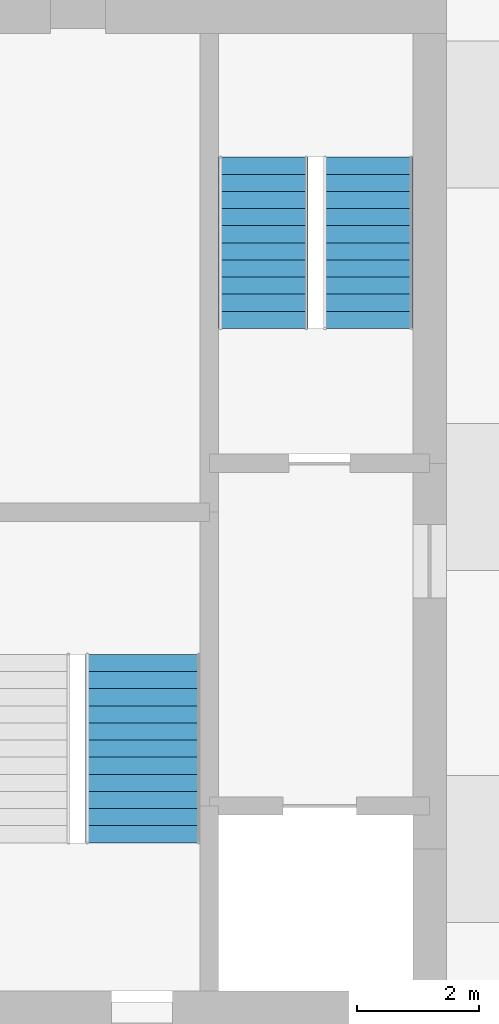
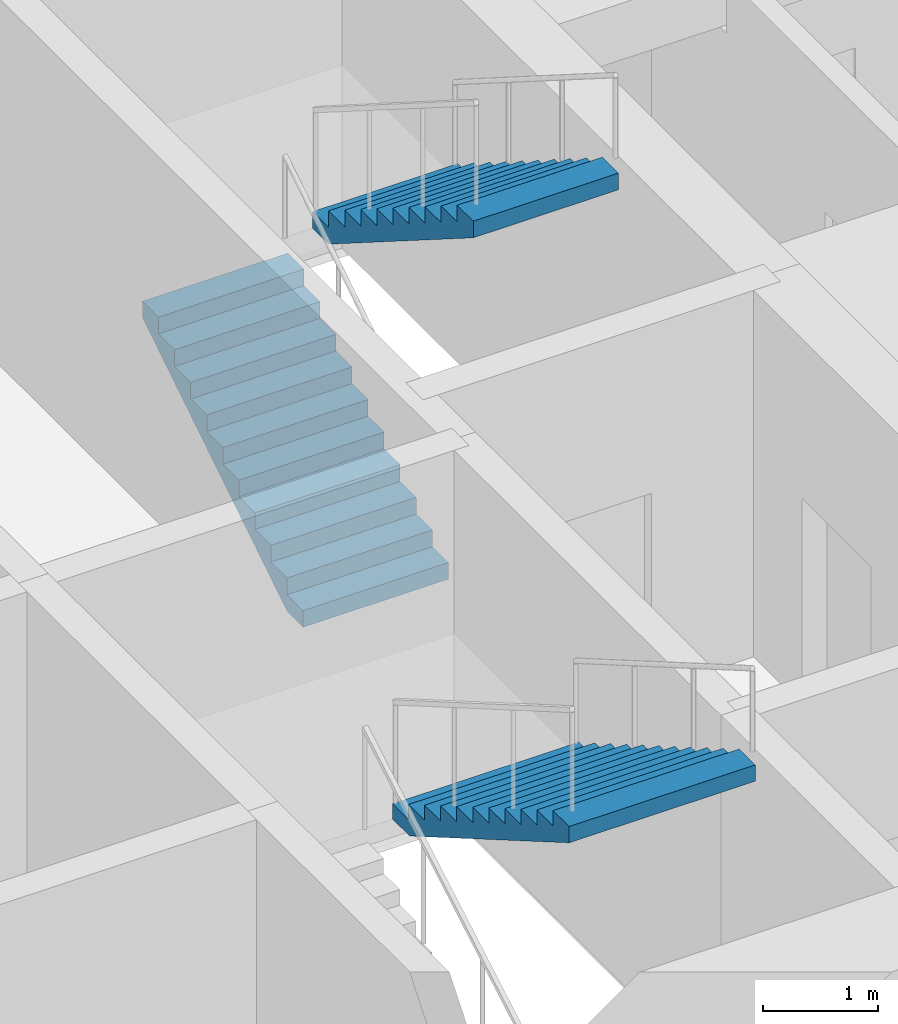
# One storey, part 19 of 20: 3 stair flights, 2 elements without a shape of their own.
"""IFC4 building model written with IfcOpenShell, lengths in metres."""

from ifc_helpers import new_model, si_unit, direction, frame, origin, place, context, subcontext, project, spatial, polyline, outline, extrude, material, type_object, element, aggregate, save


model = new_model("IFC4")

# Units and contexts
model_context = context("Model", 3, precision=1e-05, world=origin(), true_north=direction((0.0, 1.0)))
body_context = subcontext(model_context, "Body", "Model", "MODEL_VIEW")
ifc_project = project(units=[si_unit("LENGTHUNIT", "METRE"), si_unit("AREAUNIT", "SQUARE_METRE"), si_unit("VOLUMEUNIT", "CUBIC_METRE"), si_unit("PLANEANGLEUNIT", "RADIAN"), si_unit("MASSUNIT", "GRAM", prefix="KILO")], contexts=[model_context])

# Site, building, storey
site_placement = place(None, origin())
site = spatial("IfcSite", under=ifc_project, at=site_placement, CompositionType="ELEMENT")
building_placement = place(site_placement, origin())
building = spatial("IfcBuilding", under=site, at=building_placement, Name="Jalousie Tower", CompositionType="ELEMENT")
storey_placement = place(building_placement, frame((0.0, 0.0, 259.949951171875)))
storey = spatial("IfcBuildingStorey", under=building, at=storey_placement, Name="L71", CompositionType="ELEMENT", Elevation=259.949951171875)

# Stair, stair flights
ifc_material_1 = material(Name="Concrete f'c 40 MPa", Category="concrete")
stair_type = type_object("IfcStairType", Name="EXIT STAIR", PredefinedType="HALF_TURN_STAIR", material=ifc_material_1)
stair_1_placement = place(storey_placement, origin())
stair_1 = element("IfcStair", 1, at=stair_1_placement, inside=storey, type_object=stair_type, Name="Exit stair B L71", PredefinedType="HALF_TURN_STAIR")
ifc_material_2 = material(Name="Concrete f'c 40 MPa", Category="concrete")
stair_flight_type = type_object("IfcStairFlightType", Name="STAIR FLIGHT", PredefinedType="STRAIGHT", material=ifc_material_2)
stair_flight_1_placement = place(storey_placement, frame((41.081298828125, 21.50244140625, 0.0), z_axis=(0.0, 0.0, 1.0), x_axis=(0.0, 1.0, 0.0)))
stair_flight_1 = element("IfcStairFlight", 2, at=stair_flight_1_placement, type_object=stair_flight_type, Name="ST-B flight 1", NumberOfRisers=11, NumberOfTreads=10, PredefinedType="STRAIGHT", RiserHeight=0.177272727, TreadLength=0.28, context=body_context, shape_type="SweptSolid", body=[
    extrude(outline(polyline([(0.0, 0.0), (0.0, 0.17724609375), (0.280029296875, 0.17724609375), (0.280029296875, 0.3544921875), (0.56005859375, 0.3544921875), (0.56005859375, 0.53173828125), (0.840087890625, 0.53173828125), (0.840087890625, 0.708984375), (1.1201171875, 0.708984375), (1.1201171875, 0.886474609375), (1.39990234375, 0.886474609375), (1.39990234375, 1.063720703125), (1.679931640625, 1.063720703125), (1.679931640625, 1.240966796875), (1.9599609375, 1.240966796875), (1.9599609375, 1.418212890625), (2.239990234375, 1.418212890625), (2.239990234375, 1.595458984375), (2.52001953125, 1.595458984375), (2.52001953125, 1.772705078125), (2.800048828125, 1.772705078125), (2.800048828125, 1.949951171875), (2.800048828125, 1.59521484375), (0.2802734375, 0.0), (0.0, 0.0)])), frame((0.0, 0.731201171875, 0.0), z_axis=(0.0, -1.0, 0.0), x_axis=(1.0, 0.0, 0.0)), (0.0, 0.0, 1.0), 1.46240234375),
])
stair_flight_2_placement = place(storey_placement, frame((42.793701171875, 24.302490234375, 1.949951171875), z_axis=(0.0, 0.0, 1.0), x_axis=(0.0, -1.0, 0.0)))
stair_flight_2 = element("IfcStairFlight", 3, at=stair_flight_2_placement, type_object=stair_flight_type, Name="ST-B flight 2", NumberOfRisers=11, NumberOfTreads=10, PredefinedType="STRAIGHT", RiserHeight=0.177272727, TreadLength=0.28, context=body_context, shape_type="SweptSolid", body=[
    extrude(outline(polyline([(0.0, 0.0), (0.0, 0.17724609375), (0.280029296875, 0.17724609375), (0.280029296875, 0.3544921875), (0.56005859375, 0.3544921875), (0.56005859375, 0.53173828125), (0.840087890625, 0.53173828125), (0.840087890625, 0.708984375), (1.1201171875, 0.708984375), (1.1201171875, 0.886474609375), (1.39990234375, 0.886474609375), (1.39990234375, 1.063720703125), (1.679931640625, 1.063720703125), (1.679931640625, 1.240966796875), (1.9599609375, 1.240966796875), (1.9599609375, 1.418212890625), (2.239990234375, 1.418212890625), (2.239990234375, 1.595458984375), (2.52001953125, 1.595458984375), (2.52001953125, 1.772705078125), (2.800048828125, 1.772705078125), (2.800048828125, 1.949951171875), (2.800048828125, 1.59521484375), (0.2802734375, 0.0), (0.0, 0.0)])), frame((0.0, 0.731201171875, 0.0), z_axis=(0.0, -1.0, 0.0), x_axis=(1.0, 0.0, 0.0)), (0.0, 0.0, 1.0), 1.46240234375),
])
aggregate(stair_1, [stair_flight_1, stair_flight_2])

# Stair, stair flight
stair_2_placement = place(storey_placement, origin())
stair_2 = element("IfcStair", 4, at=stair_2_placement, inside=storey, type_object=stair_type, Name="Exit stair C L71", PredefinedType="HALF_TURN_STAIR")
stair_flight_3_placement = place(storey_placement, frame((39.112548828125, 16.177490234375, 1.949951171875), z_axis=(0.0, 0.0, 1.0), x_axis=(0.0, -1.0, 0.0)))
stair_flight_3 = element("IfcStairFlight", 5, at=stair_flight_3_placement, type_object=stair_flight_type, Name="ST-C flight 2", NumberOfRisers=12, NumberOfTreads=11, PredefinedType="STRAIGHT", RiserHeight=0.1625, TreadLength=0.28, context=body_context, shape_type="SweptSolid", body=[
    extrude(outline(polyline([(0.0, 0.0), (0.0, 0.16259765625), (0.280029296875, 0.16259765625), (0.280029296875, 0.324951171875), (0.56005859375, 0.324951171875), (0.56005859375, 0.487548828125), (0.840087890625, 0.487548828125), (0.840087890625, 0.64990234375), (1.1201171875, 0.64990234375), (1.1201171875, 0.8125), (1.39990234375, 0.8125), (1.39990234375, 0.97509765625), (1.679931640625, 0.97509765625), (1.679931640625, 1.137451171875), (1.9599609375, 1.137451171875), (1.9599609375, 1.300048828125), (2.239990234375, 1.300048828125), (2.239990234375, 1.46240234375), (2.52001953125, 1.46240234375), (2.52001953125, 1.625), (2.800048828125, 1.625), (2.800048828125, 1.78759765625), (3.080078125, 1.78759765625), (3.080078125, 1.949951171875), (3.080078125, 1.6142578125), (0.298583984375, 0.0), (0.0, 0.0)])), frame((0.0, 0.9375, 0.0), z_axis=(0.0, -1.0, 0.0), x_axis=(1.0, 0.0, 0.0)), (0.0, 0.0, 1.0), 1.875),
])
aggregate(stair_2, [stair_flight_3])

save(model, "model.ifc")
